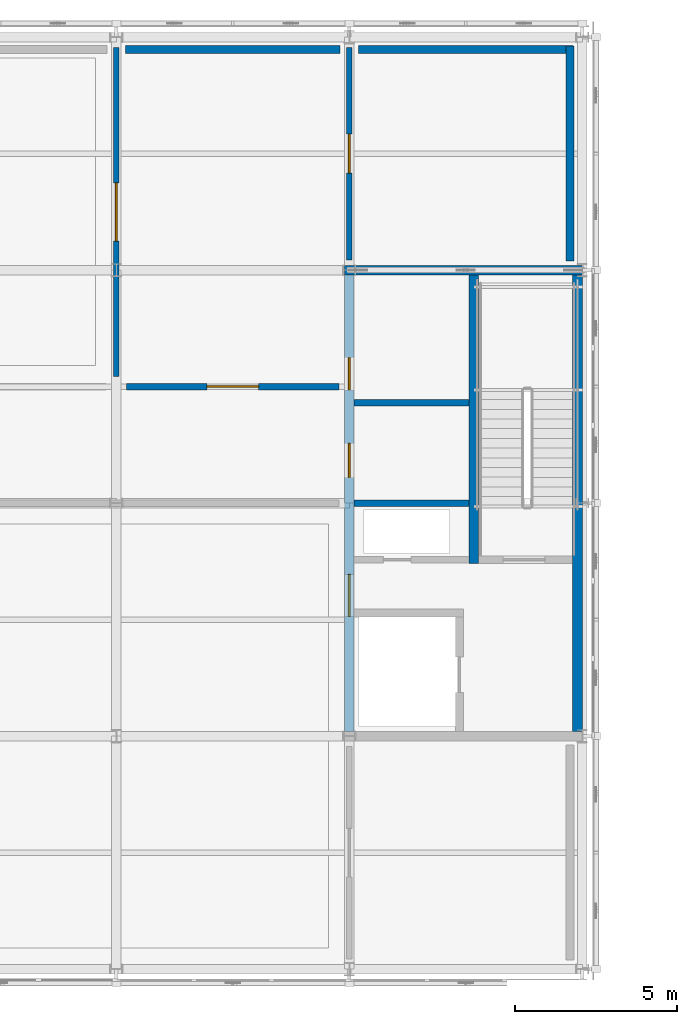
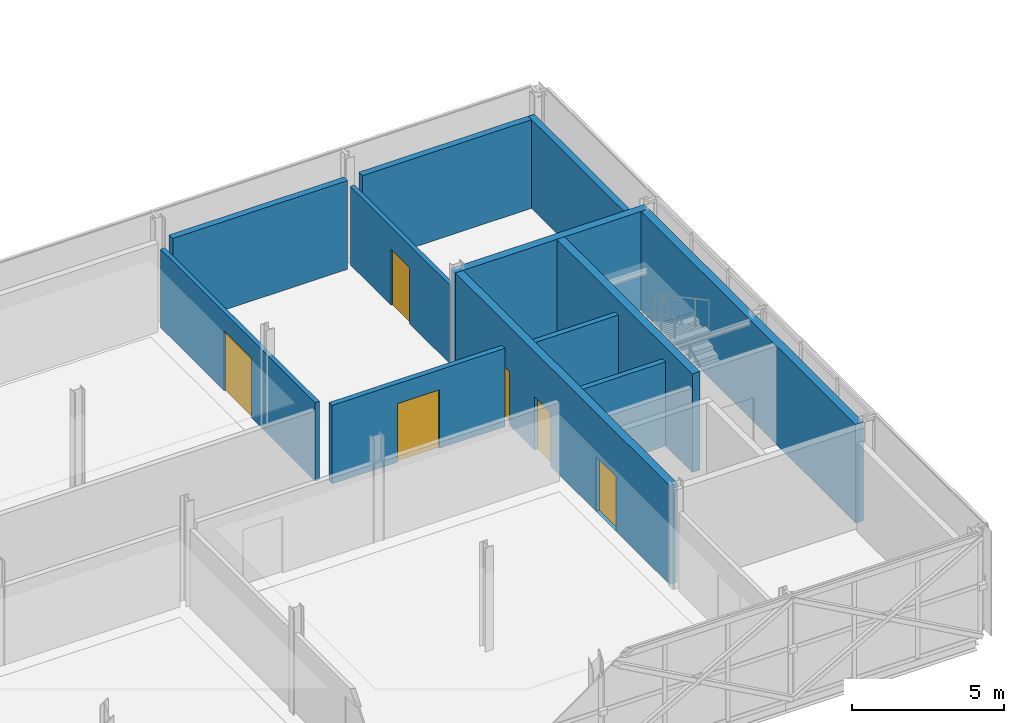
# One storey, part 107 of 126: 12 walls, 6 doors, 6 openings.
"""IFC4 building model written with IfcOpenShell, lengths in metres."""

from ifc_helpers import new_model, si_unit, direction, frame, frame_2d, origin, place, context, subcontext, project, spatial, rectangle, extrude, material, layer, layer_set, type_object, element, fill, save


model = new_model("IFC4")

# Units and contexts
model_context = context("Model", 3, precision=1e-05, world=origin(), true_north=direction((0.0, 1.0)))
body_context = subcontext(model_context, "Body", "Model", "MODEL_VIEW")
ifc_project = project(units=[si_unit("LENGTHUNIT", "METRE"), si_unit("AREAUNIT", "SQUARE_METRE"), si_unit("VOLUMEUNIT", "CUBIC_METRE"), si_unit("PLANEANGLEUNIT", "RADIAN"), si_unit("MASSUNIT", "GRAM", prefix="KILO")], contexts=[model_context])

# Site, building, storey
site_placement = place(None, origin())
site = spatial("IfcSite", under=ifc_project, at=site_placement, CompositionType="ELEMENT")
building_placement = place(site_placement, origin())
building = spatial("IfcBuilding", under=site, at=building_placement, Name="Zlatovets Crest Museum", CompositionType="ELEMENT")
storey_placement = place(building_placement, frame((0.0, 0.0, 8.699951171875)))
storey = spatial("IfcBuildingStorey", under=building, at=storey_placement, Name="L02", CompositionType="ELEMENT", Elevation=8.699951171875)

# Walls
ifc_material_1 = material(Name="Concrete C35/45", Category="concrete")
ifc_layer_1 = layer(ifc_material_1, 0.300048828125)
ifc_layer_set_1 = layer_set([ifc_layer_1], Name="Concrete C35/45")
wall_type_1 = type_object("IfcWallType", Name="CoreWall_SW01", PredefinedType="SHEAR", material=ifc_layer_set_1)
wall_1_placement = place(storey_placement, frame((100.64990234375, 108.0, 0.0), z_axis=(0.0, 0.0, 1.0), x_axis=(1.0, 0.0, 0.0)))
element("IfcWall", 1, at=wall_1_placement, inside=storey, type_object=wall_type_1, Name="Core C6 L02 North Shear Wall", PredefinedType="SHEAR", context=body_context, shape_type="SweptSolid", body=[
    extrude(rectangle(XDim=7.35009765625, YDim=0.300048828125, at=frame_2d((3.675048828125, 0.0))), origin(), (0.0, 0.0, 1.0), 3.9599609375),
])
wall_2_placement = place(storey_placement, frame((107.85009765625, 93.75, 0.0), z_axis=(0.0, 0.0, 1.0), x_axis=(0.0, 1.0, 0.0)))
element("IfcWall", 2, at=wall_2_placement, inside=storey, type_object=wall_type_1, Name="Core C6 L02 Perimeter Shear Wall", PredefinedType="SHEAR", context=body_context, shape_type="SweptSolid", body=[
    extrude(rectangle(XDim=14.10009765625, YDim=0.300048828125, at=frame_2d((7.050048828125, 0.0))), origin(), (0.0, 0.0, 1.0), 3.9599609375),
])

# Wall, openings, doors
wall_3_placement = place(storey_placement, frame((100.800048828125, 93.75, 0.0), z_axis=(0.0, 0.0, 1.0), x_axis=(0.0, 1.0, 0.0)))
wall_3 = element("IfcWall", 3, at=wall_3_placement, inside=storey, type_object=wall_type_1, Name="Core C6 L02 Spine Shear Wall", PredefinedType="SHEAR", context=body_context, shape_type="SweptSolid", body=[
    extrude(rectangle(XDim=14.10009765625, YDim=0.300048828125, at=frame_2d((7.050048828125, 0.0))), origin(), (0.0, 0.0, 1.0), 3.9599609375),
])
opening_1_placement = place(wall_3_placement, frame((3.550048828125, 0.0, 0.0)))
opening_1 = element("IfcOpeningElement", 4, at=opening_1_placement, cuts=wall_3, Name="Opening FD-01", PredefinedType="OPENING", context=body_context, shape_type="SweptSolid", body=[
    extrude(rectangle(XDim=1.300048828125, YDim=2.199951171875, at=frame_2d((0.64990234375, 1.10009765625))), frame((0.0, 0.16015625, 0.0), z_axis=(0.0, -1.0, 0.0), x_axis=(1.0, 0.0, 0.0)), (0.0, 0.0, 1.0), 0.320068359375),
])
opening_2_placement = place(wall_3_placement, frame((7.85009765625, 0.0, 0.0)))
opening_2 = element("IfcOpeningElement", 5, at=opening_2_placement, cuts=wall_3, Name="Opening ID-02", PredefinedType="OPENING", context=body_context, shape_type="SweptSolid", body=[
    extrude(rectangle(XDim=1.050048828125, YDim=2.14990234375, at=frame_2d((0.52490234375, 1.074951171875))), frame((0.0, 0.16015625, 0.0), z_axis=(0.0, -1.0, 0.0), x_axis=(1.0, 0.0, 0.0)), (0.0, 0.0, 1.0), 0.320068359375),
])
opening_3_placement = place(wall_3_placement, frame((10.550048828125, 0.0, 0.0)))
opening_3 = element("IfcOpeningElement", 6, at=opening_3_placement, cuts=wall_3, Name="Opening ID-01", PredefinedType="OPENING", context=body_context, shape_type="SweptSolid", body=[
    extrude(rectangle(XDim=1.0, YDim=2.14990234375, at=frame_2d((0.5, 1.074951171875))), frame((0.0, 0.16015625, 0.0), z_axis=(0.0, -1.0, 0.0), x_axis=(1.0, 0.0, 0.0)), (0.0, 0.0, 1.0), 0.320068359375),
])
ifc_material_2 = material(Name="Smoke-sealed steel fire door", Category="steel")
door_type_1 = type_object("IfcDoorType", Name="IntDoor_FD-01", OperationType="NOTDEFINED", PredefinedType="DOOR", material=ifc_material_2)
door_1_placement = place(opening_1_placement, origin())
door_1 = element("IfcDoor", 7, at=door_1_placement, inside=storey, type_object=door_type_1, Name="CDOOR-C6-L02-LOB Core C6 L02 Lobby Fire Door", OperationType="SINGLE_SWING_RIGHT", OverallHeight=2.199951171875, OverallWidth=1.300048828125, PredefinedType="DOOR", context=body_context, shape_type="SweptSolid", body=[
    extrude(rectangle(XDim=1.300048828125, YDim=2.199951171875, at=frame_2d((0.64990234375, 1.10009765625))), frame((0.0, 0.02490234375, 0.0), z_axis=(0.0, -1.0, 0.0), x_axis=(1.0, 0.0, 0.0)), (0.0, 0.0, 1.0), 0.050048828125),
])
fill(opening_1, door_1)
ifc_material_3 = material(Name="Solid oak museum room door")
door_type_2 = type_object("IfcDoorType", Name="IntDoor_ID-01", OperationType="NOTDEFINED", PredefinedType="DOOR", material=ifc_material_3)
door_2_placement = place(opening_3_placement, origin())
door_2 = element("IfcDoor", 8, at=door_2_placement, inside=storey, type_object=door_type_2, Name="CDOOR-C6-L02-WC Core C6 L02 Public Restroom Door", OperationType="SINGLE_SWING_RIGHT", OverallHeight=2.14990234375, OverallWidth=1.0, PredefinedType="DOOR", context=body_context, shape_type="SweptSolid", body=[
    extrude(rectangle(XDim=1.0, YDim=2.14990234375, at=frame_2d((0.5, 1.074951171875))), frame((0.0, 0.02490234375, 0.0), z_axis=(0.0, -1.0, 0.0), x_axis=(1.0, 0.0, 0.0)), (0.0, 0.0, 1.0), 0.050048828125),
])
fill(opening_3, door_2)
ifc_material_4 = material(Name="Accessible sanitary room door")
door_type_3 = type_object("IfcDoorType", Name="IntDoor_ID-02", OperationType="NOTDEFINED", PredefinedType="DOOR", material=ifc_material_4)
door_3_placement = place(opening_2_placement, origin())
door_3 = element("IfcDoor", 9, at=door_3_placement, inside=storey, type_object=door_type_3, Name="CDOOR-C6-L02-AWC Core C6 L02 Accessible WC Door", OperationType="SINGLE_SWING_LEFT", OverallHeight=2.14990234375, OverallWidth=1.050048828125, PredefinedType="DOOR", context=body_context, shape_type="SweptSolid", body=[
    extrude(rectangle(XDim=1.050048828125, YDim=2.14990234375, at=frame_2d((0.52490234375, 1.074951171875))), frame((0.0, 0.02490234375, 0.0), z_axis=(0.0, -1.0, 0.0), x_axis=(1.0, 0.0, 0.0)), (0.0, 0.0, 1.0), 0.050048828125),
])
fill(opening_2, door_3)

# Walls
wall_4_placement = place(storey_placement, frame((104.64990234375, 98.93994140625, 0.0), z_axis=(0.0, 0.0, 1.0), x_axis=(0.0, 1.0, 0.0)))
element("IfcWall", 10, at=wall_4_placement, inside=storey, type_object=wall_type_1, Name="Core C6 L02 Stair Divider Wall", PredefinedType="SHEAR", context=body_context, shape_type="SweptSolid", body=[
    extrude(rectangle(XDim=8.91015625, YDim=0.300048828125, at=frame_2d((4.455078125, 0.0))), origin(), (0.0, 0.0, 1.0), 3.9599609375),
])
ifc_material_5 = material(Name="Insulated gallery conservation liner wall", Category="concrete")
ifc_layer_2 = layer(ifc_material_5, 0.300048828125)
ifc_layer_set_2 = layer_set([ifc_layer_2], Name="Insulated gallery conservation liner wall")
wall_type_2 = type_object("IfcWallType", Name="ExtWall_EW-02", PredefinedType="STANDARD", material=ifc_layer_set_2)
for number, where, z_axis, x_axis, name in (
    (11, (107.6201171875, 108.280029296875, 0.0), (0.0, 0.0, 1.0), (0.0, 1.0, 0.0), "V1 L02 Interior Conservation Gallery Liner Wall"),
    (12, (107.719970703125, 114.820068359375, 0.0), (0.0, 0.0, 1.0), (-1.0, 0.0, 0.0), "V1 L02 Interior Conservation Gallery Liner Wall"),
):
    element("IfcWall", number, at=place(storey_placement, frame(where, z_axis=z_axis, x_axis=x_axis)), inside=storey, type_object=wall_type_2, Name=name, PredefinedType="STANDARD", context=body_context, shape_type="SweptSolid", body=[
        extrude(rectangle(XDim=6.639892578125, YDim=0.239990234375, at=frame_2d((3.31982421875, 0.0))), origin(), (0.0, 0.0, 1.0), 3.56005859375),
    ])
wall_5_placement = place(storey_placement, frame((100.52001953125, 114.820068359375, 0.0), z_axis=(0.0, 0.0, 1.0), x_axis=(-1.0, 0.0, 0.0)))
element("IfcWall", 13, at=wall_5_placement, inside=storey, type_object=wall_type_2, Name="V1 L02 Interior Conservation Gallery Liner Wall", PredefinedType="STANDARD", context=body_context, shape_type="SweptSolid", body=[
    extrude(rectangle(XDim=6.64013671875, YDim=0.239990234375, at=frame_2d((3.320068359375, 0.0))), origin(), (0.0, 0.0, 1.0), 3.56005859375),
])

# Wall, opening, door
ifc_material_6 = material(Name="Gypsum-encased fire compartment partition")
ifc_layer_3 = layer(ifc_material_6, 0.199951171875)
ifc_layer_set_3 = layer_set([ifc_layer_3], Name="Gypsum-encased fire compartment partition")
wall_type_3 = type_object("IfcWallType", Name="PartWall_PT-01", PredefinedType="PARTITIONING", material=ifc_layer_set_3)
wall_6_placement = place(storey_placement, frame((93.919921875, 104.39990234375, 0.0), z_axis=(0.0, 0.0, 1.0), x_axis=(1.0, 0.0, 0.0)))
wall_6 = element("IfcWall", 14, at=wall_6_placement, inside=storey, type_object=wall_type_3, Name="V1 L02 Interior Partition PT-01", PredefinedType="PARTITIONING", context=body_context, shape_type="SweptSolid", body=[
    extrude(rectangle(XDim=6.56005859375, YDim=0.199951171875, at=frame_2d((3.280029296875, 0.0))), origin(), (0.0, 0.0, 1.0), 3.150146484375),
])
opening_4_placement = place(wall_6_placement, frame((2.47998046875, 0.0, 0.0)))
opening_4 = element("IfcOpeningElement", 15, at=opening_4_placement, cuts=wall_6, Name="Opening ID-04", PredefinedType="OPENING", context=body_context, shape_type="SweptSolid", body=[
    extrude(rectangle(XDim=1.60009765625, YDim=2.35009765625, at=frame_2d((0.800048828125, 1.175048828125))), frame((0.0, 0.10986328125, 0.0), z_axis=(0.0, -1.0, 0.0), x_axis=(1.0, 0.0, 0.0)), (0.0, 0.0, 1.0), 0.219970703125),
])
ifc_material_7 = material(Name="Gallery salon double portal door")
door_type_4 = type_object("IfcDoorType", Name="IntDoor_ID-04", OperationType="DOUBLE_DOOR_SINGLE_SWING", PredefinedType="DOOR", material=ifc_material_7)
door_4_placement = place(opening_4_placement, origin())
door_4 = element("IfcDoor", 16, at=door_4_placement, inside=storey, type_object=door_type_4, Name="IDOOR-V1-L02-0140 Second Floor Gallery Spine to Art History Seminar Studio Door", OperationType="DOUBLE_DOOR_SINGLE_SWING", OverallHeight=2.35009765625, OverallWidth=1.60009765625, PredefinedType="DOOR", context=body_context, shape_type="SweptSolid", body=[
    extrude(rectangle(XDim=1.60009765625, YDim=2.35009765625, at=frame_2d((0.800048828125, 1.175048828125))), frame((0.0, 0.02490234375, 0.0), z_axis=(0.0, -1.0, 0.0), x_axis=(1.0, 0.0, 0.0)), (0.0, 0.0, 1.0), 0.050048828125),
])
fill(opening_4, door_4)

ifc_material_8 = material(Name="Acoustic museum gallery stud partition")
ifc_layer_4 = layer(ifc_material_8, 0.159912109375)
ifc_layer_set_4 = layer_set([ifc_layer_4], Name="Acoustic museum gallery stud partition")
wall_type_4 = type_object("IfcWallType", Name="PartWall_PT-02", PredefinedType="PARTITIONING", material=ifc_layer_set_4)
wall_7_placement = place(storey_placement, frame((93.60009765625, 104.719970703125, 0.0), z_axis=(0.0, 0.0, 1.0), x_axis=(0.0, 1.0, 0.0)))
wall_7 = element("IfcWall", 17, at=wall_7_placement, inside=storey, type_object=wall_type_4, Name="V1 L02 Interior Partition PT-02", PredefinedType="PARTITIONING", context=body_context, shape_type="SweptSolid", body=[
    extrude(rectangle(XDim=10.159912109375, YDim=0.159912109375, at=frame_2d((5.080078125, 0.0))), origin(), (0.0, 0.0, 1.0), 3.150146484375),
])
opening_5_placement = place(wall_7_placement, frame((4.179931640625, 0.0, 0.0)))
opening_5 = element("IfcOpeningElement", 18, at=opening_5_placement, cuts=wall_7, Name="Opening FD-04", PredefinedType="OPENING", context=body_context, shape_type="SweptSolid", body=[
    extrude(rectangle(XDim=1.800048828125, YDim=2.39990234375, at=frame_2d((0.89990234375, 1.199951171875))), frame((0.0, 0.08984375, 0.0), z_axis=(0.0, -1.0, 0.0), x_axis=(1.0, 0.0, 0.0)), (0.0, 0.0, 1.0), 0.179931640625),
])
ifc_material_9 = material(Name="Archive vault heavy fire door")
door_type_5 = type_object("IfcDoorType", Name="IntDoor_FD-04", OperationType="DOUBLE_DOOR_SINGLE_SWING", PredefinedType="DOOR", material=ifc_material_9)
door_5_placement = place(opening_5_placement, origin())
door_5 = element("IfcDoor", 19, at=door_5_placement, inside=storey, type_object=door_type_5, Name="IDOOR-V1-L02-0144 Twentieth-Century Painting Gallery to Art History Seminar Studio Door", OperationType="DOUBLE_DOOR_SINGLE_SWING", OverallHeight=2.39990234375, OverallWidth=1.800048828125, PredefinedType="DOOR", context=body_context, shape_type="SweptSolid", body=[
    extrude(rectangle(XDim=1.800048828125, YDim=2.39990234375, at=frame_2d((0.89990234375, 1.199951171875))), frame((0.0, 0.02490234375, 0.0), z_axis=(0.0, -1.0, 0.0), x_axis=(1.0, 0.0, 0.0)), (0.0, 0.0, 1.0), 0.050048828125),
])
fill(opening_5, door_5)

wall_8_placement = place(storey_placement, frame((100.800048828125, 108.320068359375, 0.0), z_axis=(0.0, 0.0, 1.0), x_axis=(0.0, 1.0, 0.0)))
wall_8 = element("IfcWall", 20, at=wall_8_placement, inside=storey, type_object=wall_type_4, Name="V1 L02 Interior Partition PT-02", PredefinedType="PARTITIONING", context=body_context, shape_type="SweptSolid", body=[
    extrude(rectangle(XDim=6.559814453125, YDim=0.159912109375, at=frame_2d((3.27978515625, 0.0))), origin(), (0.0, 0.0, 1.0), 3.150146484375),
])
opening_6_placement = place(wall_8_placement, frame((2.679931640625, 0.0, 0.0)))
opening_6 = element("IfcOpeningElement", 21, at=opening_6_placement, cuts=wall_8, Name="Opening ID-03", PredefinedType="OPENING", context=body_context, shape_type="SweptSolid", body=[
    extrude(rectangle(XDim=1.199951171875, YDim=2.25, at=frame_2d((0.60009765625, 1.125))), frame((0.0, 0.08984375, 0.0), z_axis=(0.0, -1.0, 0.0), x_axis=(1.0, 0.0, 0.0)), (0.0, 0.0, 1.0), 0.179931640625),
])
ifc_material_10 = material(Name="Conservation studio wide leaf door")
door_type_6 = type_object("IfcDoorType", Name="IntDoor_ID-03", OperationType="NOTDEFINED", PredefinedType="DOOR", material=ifc_material_10)
door_6_placement = place(opening_6_placement, origin())
door_6 = element("IfcDoor", 22, at=door_6_placement, inside=storey, type_object=door_type_6, Name="IDOOR-V1-L02-0146 Art History Seminar Studio to Secession Monograph Study Door", OperationType="SINGLE_SWING_LEFT", OverallHeight=2.25, OverallWidth=1.199951171875, PredefinedType="DOOR", context=body_context, shape_type="SweptSolid", body=[
    extrude(rectangle(XDim=1.199951171875, YDim=2.25, at=frame_2d((0.60009765625, 1.125))), frame((0.0, 0.02490234375, 0.0), z_axis=(0.0, -1.0, 0.0), x_axis=(1.0, 0.0, 0.0)), (0.0, 0.0, 1.0), 0.050048828125),
])
fill(opening_6, door_6)

# Walls
ifc_material_11 = material(Name="Sanitary core acoustic service wall")
ifc_layer_5 = layer(ifc_material_11, 0.219970703125)
ifc_layer_set_5 = layer_set([ifc_layer_5], Name="Sanitary core acoustic service wall")
wall_type_5 = type_object("IfcWallType", Name="PartWall_PT-04", PredefinedType="PLUMBINGWALL", material=ifc_layer_set_5)
for number, where, z_axis, x_axis, name in (
    (23, (100.949951171875, 100.800048828125, 0.0), (0.0, 0.0, 1.0), (1.0, 0.0, 0.0), "Core C6 L02 Sanitary Divider"),
    (24, (100.949951171875, 103.89990234375, 0.0), (0.0, 0.0, 1.0), (1.0, 0.0, 0.0), "Core C6 L02 Sanitary Divider"),
):
    element("IfcWall", number, at=place(storey_placement, frame(where, z_axis=z_axis, x_axis=x_axis)), inside=storey, type_object=wall_type_5, Name=name, PredefinedType="PLUMBINGWALL", context=body_context, shape_type="SweptSolid", body=[
        extrude(rectangle(XDim=3.550048828125, YDim=0.199951171875, at=frame_2d((1.77490234375, 0.0))), origin(), (0.0, 0.0, 1.0), 3.380126953125),
    ])

save(model, "model.ifc")
